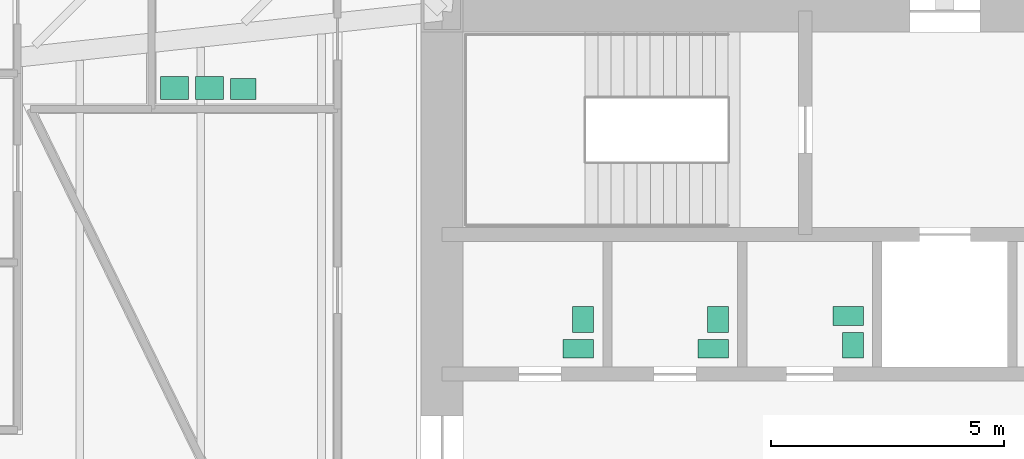
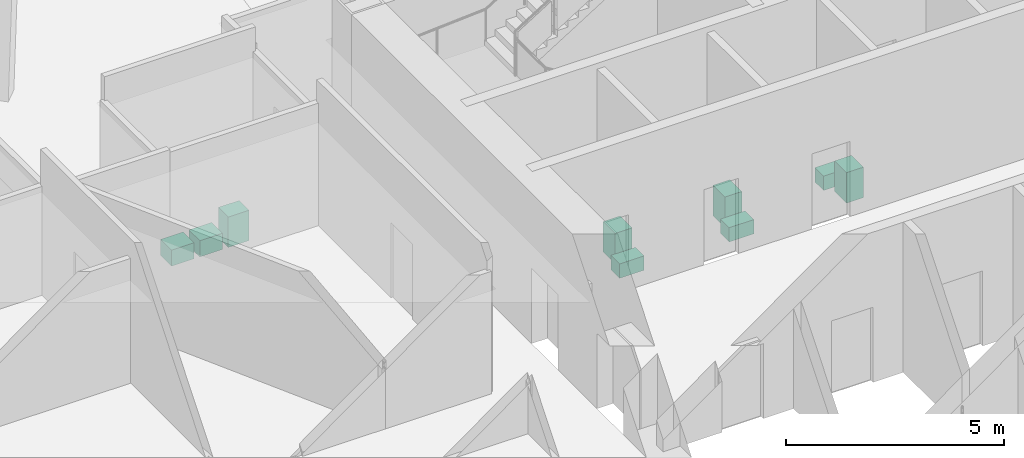
# One storey, part 14 of 14: 9 sanitary terminals.
"""IFC4 building model written with IfcOpenShell, lengths in metres."""

import ifcopenshell
import ifcopenshell.guid

model = None  # the IFC model being written
_history = None  # IfcOwnerHistory: only IFC2X3 demands one
_inside = {}  # id of a spatial element -> (the spatial element, [elements in it])
_under = {}  # id of a project, library or spatial element -> (it, [spatial elements below it])
_declared = {}  # id of a project -> (the project, [libraries it declares])
_typed = {}  # id of a type object -> (the type object, [elements of that type])
_made_of = {}  # id of a material, layer set ... -> (it, [elements and type objects made of it])


def new_model(schema):
    """Start an empty IFC model of exactly this schema.

    Asked for "IFC4X3", IfcOpenShell would pick the latest addendum, in which some entities
    have other attributes; the version numbers below select the first issue.
    IFC2X3 requires an IfcOwnerHistory on every rooted entity: one is made here for all.
    """
    global model, _history
    if schema == "IFC4X3":
        model = ifcopenshell.file(schema_version=(4, 3, 0, 0))
    else:
        model = ifcopenshell.file(schema=schema)
    _inside.clear()
    _under.clear()
    _declared.clear()
    _typed.clear()
    _made_of.clear()
    _history = None
    if model.schema == "IFC2X3":
        org = make("IfcOrganization", Name="unknown")
        user = make(
            "IfcPersonAndOrganization",
            ThePerson=make("IfcPerson", FamilyName="unknown"),
            TheOrganization=org,
        )
        app = make(
            "IfcApplication",
            ApplicationDeveloper=org,
            Version="unknown",
            ApplicationFullName="unknown",
            ApplicationIdentifier="unknown",
        )
        _history = make(
            "IfcOwnerHistory",
            OwningUser=user,
            OwningApplication=app,
            ChangeAction="ADDED",
            CreationDate=0,
        )
    return model


def make(cls, **values):
    """One entity of the class cls with the attributes given. An attribute that is None is left unset."""
    return model.create_entity(
        cls, **{name: value for name, value in values.items() if value is not None}
    )


def rooted(cls, **values):
    """An entity with a GlobalId (a new one), such as an element, a storey or a relation."""
    return make(cls, GlobalId=ifcopenshell.guid.new(), OwnerHistory=_history, **values)


def si_unit(unit_type, name, prefix=None):
    """IfcSIUnit, for example si_unit("LENGTHUNIT", "METRE", prefix="MILLI")."""
    return make("IfcSIUnit", UnitType=unit_type, Prefix=prefix, Name=name)


def assignment(units):
    """IfcUnitAssignment: the units of a project."""
    return None if units is None else make("IfcUnitAssignment", Units=units)


def point(xyz):
    """IfcCartesianPoint."""
    return None if xyz is None else make("IfcCartesianPoint", Coordinates=xyz)


def direction(xyz):
    """IfcDirection."""
    return None if xyz is None else make("IfcDirection", DirectionRatios=xyz)


def frame(location, z_axis=None, x_axis=None):
    """IfcAxis2Placement3D, a coordinate frame: its origin and axes. An axis left out is left unset."""
    return make(
        "IfcAxis2Placement3D",
        Location=point(location),
        Axis=direction(z_axis),
        RefDirection=direction(x_axis),
    )


def frame_2d(location, x_axis=None):
    """IfcAxis2Placement2D, a coordinate frame in the plane: its origin and x axis."""
    return make(
        "IfcAxis2Placement2D", Location=point(location), RefDirection=direction(x_axis)
    )


def origin():
    """The frame at (0, 0, 0) with its axes left unset."""
    return frame((0.0, 0.0, 0.0))


def origin_2d():
    """The frame at (0, 0) in the plane with its x axis left unset."""
    return frame_2d((0.0, 0.0))


def place(relative_to, where):
    """IfcLocalPlacement: puts the frame where relative to a parent placement (None: the world)."""
    return make(
        "IfcLocalPlacement", PlacementRelTo=relative_to, RelativePlacement=where
    )


def context(
    kind, dimensions, precision=None, world=None, true_north=None, identifier=None
):
    """IfcGeometricRepresentationContext, for example the 3D "Model" context."""
    return make(
        "IfcGeometricRepresentationContext",
        ContextIdentifier=identifier,
        ContextType=kind,
        CoordinateSpaceDimension=dimensions,
        Precision=precision,
        WorldCoordinateSystem=world,
        TrueNorth=true_north,
    )


def subcontext(parent, identifier, kind, view, scale=None):
    """IfcGeometricRepresentationSubContext, for example "Body" below "Model"."""
    return make(
        "IfcGeometricRepresentationSubContext",
        ContextIdentifier=identifier,
        ContextType=kind,
        ParentContext=parent,
        TargetScale=scale,
        TargetView=view,
    )


def project(units=None, contexts=None):
    """IfcProject with its units and contexts."""
    return rooted(
        "IfcProject",
        Name="project",
        RepresentationContexts=contexts,
        UnitsInContext=assignment(units),
    )


def spatial(cls, under=None, at=None, **own):
    """A site, building, storey or space (cls), placed at a placement, below another one or the project."""
    s = rooted(cls, ObjectPlacement=at, **own)
    if under is not None:
        _under.setdefault(under.id(), (under, []))[1].append(s)
    return s


def profile(cls, at=None, kind="AREA", **sizes):
    """A parametric profile (cls). Its sizes go by their IFC names, for example OverallWidth=200.0."""
    return make(cls, ProfileType=kind, Position=at, **sizes)


def rectangle(**sizes):
    """IfcRectangleProfileDef."""
    return profile("IfcRectangleProfileDef", **sizes)


def extrude(swept, where, along, depth):
    """IfcExtrudedAreaSolid: the profile swept, set in the frame where, extruded along a direction by depth."""
    return make(
        "IfcExtrudedAreaSolid",
        SweptArea=swept,
        Position=where,
        ExtrudedDirection=direction(along),
        Depth=depth,
    )


def shape(context_of_items, identifier, shape_type, items):
    """IfcShapeRepresentation: the items that make up one representation, for example the "Body"."""
    return make(
        "IfcShapeRepresentation",
        ContextOfItems=context_of_items,
        RepresentationIdentifier=identifier,
        RepresentationType=shape_type,
        Items=items,
    )


def material(Name=None, Category=None):
    """IfcMaterial."""
    return make("IfcMaterial", Name=Name, Category=Category)


def made_of(thing, what):
    """Note that an element or type object is made of a material, layer set ...; save() writes the relation."""
    if what is not None:
        _made_of.setdefault(what.id(), (what, []))[1].append(thing)
    return thing


def type_object(cls, material=None, **own):
    """A type object (cls), such as IfcWallType, which elements share."""
    return made_of(rooted(cls, **own), material)


def element(
    cls,
    number,
    at=None,
    inside=None,
    cuts=None,
    type_object=None,
    material=None,
    context=None,
    identifier="Body",
    shape_type=None,
    held_by="IfcProductDefinitionShape",
    body=None,
    shapes=None,
    **own,
):
    """One element of the class cls, such as IfcWall. Its Tag is "e" and its number.

    at: its placement. inside: the storey or other place that contains it. cuts: it is an
    opening in that element (IfcRelVoidsElement). A single representation is given by context,
    identifier, shape_type and body (its items); several are given by shapes. held_by: the class
    of the entity that holds the representations. save() writes the other relations.
    """
    e = rooted(cls, Tag="e%d" % number, ObjectPlacement=at, **own)
    if body is not None:
        shapes = [shape(context, identifier, shape_type, body)]
    if shapes is not None:
        e.Representation = make(held_by, Representations=shapes)
    if inside is not None:
        _inside.setdefault(inside.id(), (inside, []))[1].append(e)
    if cuts is not None:
        rooted(
            "IfcRelVoidsElement", RelatingBuildingElement=cuts, RelatedOpeningElement=e
        )
    if type_object is not None:
        _typed.setdefault(type_object.id(), (type_object, []))[1].append(e)
    return made_of(e, material)


def aggregate(whole, parts):
    """IfcRelAggregates: a whole, such as a stair, and the parts it consists of."""
    return rooted("IfcRelAggregates", RelatingObject=whole, RelatedObjects=parts)


def save(model, path):
    """Write the relations noted so far, then the file.

    IfcRelAggregates (storeys below a building ...), IfcRelContainedInSpatialStructure (elements
    in a storey), IfcRelDefinesByType, IfcRelAssociatesMaterial and IfcRelDeclares: one each for
    every whole, place, type object, material and project.
    """
    for whole, parts in _under.values():
        aggregate(whole, parts)
    for where, things in _inside.values():
        rooted(
            "IfcRelContainedInSpatialStructure",
            RelatedElements=things,
            RelatingStructure=where,
        )
    for kind, things in _typed.values():
        rooted("IfcRelDefinesByType", RelatedObjects=things, RelatingType=kind)
    for what, things in _made_of.values():
        rooted("IfcRelAssociatesMaterial", RelatedObjects=things, RelatingMaterial=what)
    for by, libraries in _declared.values():
        rooted("IfcRelDeclares", RelatingContext=by, RelatedDefinitions=libraries)
    model.write(path)


model = new_model("IFC4")

# Units and contexts
model_context = context("Model", 3, precision=1e-05, world=origin(), true_north=direction((0.0, 1.0)))
body_context = subcontext(model_context, "Body", "Model", "MODEL_VIEW")
ifc_project = project(units=[si_unit("LENGTHUNIT", "METRE"), si_unit("AREAUNIT", "SQUARE_METRE"), si_unit("VOLUMEUNIT", "CUBIC_METRE"), si_unit("PLANEANGLEUNIT", "RADIAN"), si_unit("MASSUNIT", "GRAM", prefix="KILO")], contexts=[model_context])

# Site, building, storey
site_placement = place(None, origin())
site = spatial("IfcSite", under=ifc_project, at=site_placement, CompositionType="ELEMENT")
building_placement = place(site_placement, origin())
building = spatial("IfcBuilding", under=site, at=building_placement, Name="Mashrafa Tower", CompositionType="ELEMENT")
storey_placement = place(building_placement, frame((0.0, 0.0, 121.800048828125)))
storey = spatial("IfcBuildingStorey", under=building, at=storey_placement, Name="L27", CompositionType="ELEMENT", Elevation=121.800048828125)

# Sanitary terminals
ifc_material_1 = material(Name="Stainless steel", Category="steel")
sanitary_terminal_type_1 = type_object("IfcSanitaryTerminalType", Name="Ablution wash station 600 x 500", PredefinedType="WASHHANDBASIN", material=ifc_material_1)
for number, where, z_axis, x_axis, name in (
    (1, (-16.550048828125, 9.14990234375, 0.0), (0.0, 0.0, 1.0), (1.0, 0.0, 0.0), "Ablution wash station Ablution Room L27"),
    (2, (-15.800048828125, 9.14990234375, 0.0), (0.0, 0.0, 1.0), (1.0, 0.0, 0.0), "Ablution wash station Ablution Room L27"),
):
    element("IfcSanitaryTerminal", number, at=place(storey_placement, frame(where, z_axis=z_axis, x_axis=x_axis)), inside=storey, type_object=sanitary_terminal_type_1, Name=name, PredefinedType="WASHHANDBASIN", context=body_context, shape_type="SweptSolid", body=[
        extrude(rectangle(XDim=0.60009765625, YDim=0.5, at=origin_2d()), origin(), (0.0, 0.0, 1.0), 0.449951171875),
    ])
ifc_material_2 = material(Name="Vitreous china")
sanitary_terminal_type_2 = type_object("IfcSanitaryTerminalType", Name="Toilet pan 400 x 650", PredefinedType="TOILETPAN", material=ifc_material_2)
for number, where, z_axis, x_axis, name in (
    (3, (-7.875, 3.550048828125, 0.0), (0.0, 0.0, 1.0), (0.0, 1.0, 0.0), "Toilet pan WC Male L27"),
    (4, (-4.97509765625, 3.550048828125, 0.0), (0.0, 0.0, 1.0), (0.0, 1.0, 0.0), "Toilet pan WC Female L27"),
    (5, (-2.074951171875, 4.25, 0.0), (0.0, 0.0, 1.0), (0.0, 1.0, 0.0), "Toilet pan Accessible WC L27"),
):
    element("IfcSanitaryTerminal", number, at=place(storey_placement, frame(where, z_axis=z_axis, x_axis=x_axis)), inside=storey, type_object=sanitary_terminal_type_2, Name=name, PredefinedType="TOILETPAN", context=body_context, shape_type="SweptSolid", body=[
        extrude(rectangle(XDim=0.39990234375, YDim=0.64990234375, at=origin_2d()), origin(), (0.0, 0.0, 1.0), 0.39990234375),
    ])
ifc_material_3 = material(Name="Vitreous china")
sanitary_terminal_type_3 = type_object("IfcSanitaryTerminalType", Name="Wash basin 550 x 450", PredefinedType="WASHHANDBASIN", material=ifc_material_3)
for number, where, z_axis, x_axis, name in (
    (6, (-7.77490234375, 4.175048828125, 0.0), (0.0, 0.0, 1.0), (0.0, 1.0, 0.0), "Wash basin WC Male L27"),
    (7, (-4.875, 4.175048828125, 0.0), (0.0, 0.0, 1.0), (0.0, 1.0, 0.0), "Wash basin WC Female L27"),
    (8, (-1.97509765625, 3.625, 0.0), (0.0, 0.0, 1.0), (0.0, 1.0, 0.0), "Wash basin Accessible WC L27"),
    (9, (-15.074951171875, 9.125, 0.0), (0.0, 0.0, 1.0), (1.0, 0.0, 0.0), "Wash basin Ablution Room L27"),
):
    element("IfcSanitaryTerminal", number, at=place(storey_placement, frame(where, z_axis=z_axis, x_axis=x_axis)), inside=storey, type_object=sanitary_terminal_type_3, Name=name, PredefinedType="WASHHANDBASIN", context=body_context, shape_type="SweptSolid", body=[
        extrude(rectangle(XDim=0.550048828125, YDim=0.449951171875, at=origin_2d()), origin(), (0.0, 0.0, 1.0), 0.85009765625),
    ])

save(model, "model.ifc")
